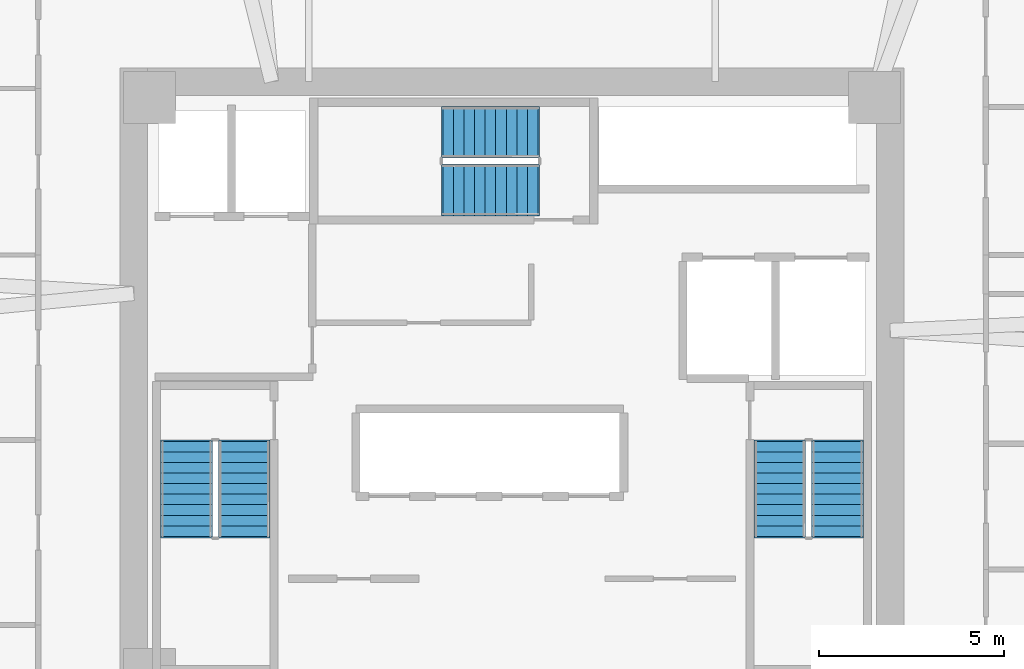
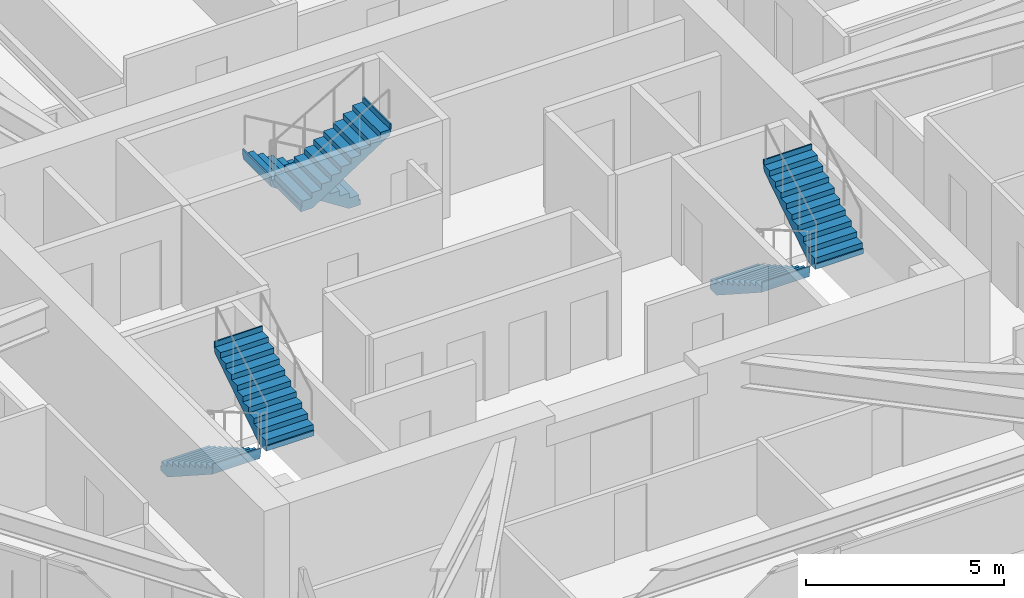
# One storey, part 13 of 14: 6 stair flights, 3 elements without a shape of their own.
"""IFC4 building model written with IfcOpenShell, lengths in metres."""

from ifc_helpers import new_model, si_unit, direction, frame, origin, place, context, subcontext, project, spatial, polyline, outline, extrude, material, type_object, element, aggregate, save


model = new_model("IFC4")

# Units and contexts
model_context = context("Model", 3, precision=1e-05, world=origin(), true_north=direction((0.0, 1.0)))
body_context = subcontext(model_context, "Body", "Model", "MODEL_VIEW")
ifc_project = project(units=[si_unit("LENGTHUNIT", "METRE"), si_unit("AREAUNIT", "SQUARE_METRE"), si_unit("VOLUMEUNIT", "CUBIC_METRE"), si_unit("PLANEANGLEUNIT", "RADIAN"), si_unit("MASSUNIT", "GRAM", prefix="KILO")], contexts=[model_context])

# Site, building, storey
site_placement = place(None, origin())
site = spatial("IfcSite", under=ifc_project, at=site_placement, CompositionType="ELEMENT")
building_placement = place(site_placement, origin())
building = spatial("IfcBuilding", under=site, at=building_placement, Name="Durnholm Broadcast Tower", CompositionType="ELEMENT")
storey_placement = place(building_placement, frame((0.0, 0.0, 127.199951171875)))
storey = spatial("IfcBuildingStorey", under=building, at=storey_placement, Name="L34", CompositionType="ELEMENT", Elevation=127.199951171875)

# Stair, stair flights
ifc_material = material(Name="Concrete C50/60", Category="concrete")
stair_type = type_object("IfcStairType", Name="STAIR-DL-20R1650", PredefinedType="HALF_TURN_STAIR", material=ifc_material)
stair_1_placement = place(storey_placement, origin())
stair_1 = element("IfcStair", 1, at=stair_1_placement, inside=storey, type_object=stair_type, Name="L34 ST-1", PredefinedType="HALF_TURN_STAIR")
stair_flight_type = type_object("IfcStairFlightType", Name="FLIGHT-DL-20R1650", PredefinedType="STRAIGHT", material=ifc_material)
stair_flight_1_placement = place(storey_placement, frame((-8.800048828125, -1.5, 0.0), z_axis=(0.0, 0.0, 1.0), x_axis=(0.0, -1.0, 0.0)))
stair_flight_1 = element("IfcStairFlight", 2, at=stair_flight_1_placement, type_object=stair_flight_type, Name="ST-1 flight 1", NumberOfRisers=10, NumberOfTreads=9, PredefinedType="STRAIGHT", RiserHeight=0.165, TreadLength=0.285, context=body_context, shape_type="SweptSolid", body=[
    extrude(outline(polyline([(-0.0400390625, -0.14990234375), (-0.0400390625, 0.0), (0.0, 0.0), (0.0, 0.1650390625), (0.284912109375, 0.1650390625), (0.284912109375, 0.330078125), (0.570068359375, 0.330078125), (0.570068359375, 0.4951171875), (0.85498046875, 0.4951171875), (0.85498046875, 0.659912109375), (1.139892578125, 0.659912109375), (1.139892578125, 0.824951171875), (1.425048828125, 0.824951171875), (1.425048828125, 0.989990234375), (1.7099609375, 0.989990234375), (1.7099609375, 1.155029296875), (1.9951171875, 1.155029296875), (1.9951171875, 1.320068359375), (2.280029296875, 1.320068359375), (2.280029296875, 1.485107421875), (2.56494140625, 1.485107421875), (2.56494140625, 1.64990234375), (2.60498046875, 1.64990234375), (2.60498046875, 1.5), (2.56494140625, 1.311767578125), (0.299072265625, -0.14990234375), (-0.0400390625, -0.14990234375)])), frame((0.0, 0.699951171875, 0.0), z_axis=(0.0, -1.0, 0.0), x_axis=(1.0, 0.0, 0.0)), (0.0, 0.0, 1.0), 1.39990234375),
])
stair_flight_2_placement = place(storey_placement, frame((-7.239990234375, -4.06494140625, 1.650146484375), z_axis=(0.0, 0.0, 1.0), x_axis=(0.0, 1.0, 0.0)))
stair_flight_2 = element("IfcStairFlight", 3, at=stair_flight_2_placement, type_object=stair_flight_type, Name="ST-1 flight 2", NumberOfRisers=10, NumberOfTreads=9, PredefinedType="STRAIGHT", RiserHeight=0.165, TreadLength=0.285, context=body_context, shape_type="SweptSolid", body=[
    extrude(outline(polyline([(-0.0400390625, -0.14990234375), (-0.0400390625, 0.0), (0.0, 0.0), (0.0, 0.1650390625), (0.284912109375, 0.1650390625), (0.284912109375, 0.330078125), (0.570068359375, 0.330078125), (0.570068359375, 0.4951171875), (0.85498046875, 0.4951171875), (0.85498046875, 0.659912109375), (1.139892578125, 0.659912109375), (1.139892578125, 0.824951171875), (1.425048828125, 0.824951171875), (1.425048828125, 0.989990234375), (1.7099609375, 0.989990234375), (1.7099609375, 1.155029296875), (1.9951171875, 1.155029296875), (1.9951171875, 1.320068359375), (2.280029296875, 1.320068359375), (2.280029296875, 1.485107421875), (2.56494140625, 1.485107421875), (2.56494140625, 1.64990234375), (2.60498046875, 1.64990234375), (2.60498046875, 1.5), (2.56494140625, 1.311767578125), (0.299072265625, -0.14990234375), (-0.0400390625, -0.14990234375)])), frame((0.0, 0.699951171875, 0.0), z_axis=(0.0, -1.0, 0.0), x_axis=(1.0, 0.0, 0.0)), (0.0, 0.0, 1.0), 1.39990234375),
])
aggregate(stair_1, [stair_flight_1, stair_flight_2])

stair_2_placement = place(storey_placement, origin())
stair_2 = element("IfcStair", 4, at=stair_2_placement, inside=storey, type_object=stair_type, Name="L34 ST-2", PredefinedType="HALF_TURN_STAIR")
stair_flight_3_placement = place(storey_placement, frame((7.239990234375, -1.5, 0.0), z_axis=(0.0, 0.0, 1.0), x_axis=(0.0, -1.0, 0.0)))
stair_flight_3 = element("IfcStairFlight", 5, at=stair_flight_3_placement, type_object=stair_flight_type, Name="ST-2 flight 1", NumberOfRisers=10, NumberOfTreads=9, PredefinedType="STRAIGHT", RiserHeight=0.165, TreadLength=0.285, context=body_context, shape_type="SweptSolid", body=[
    extrude(outline(polyline([(-0.0400390625, -0.14990234375), (-0.0400390625, 0.0), (0.0, 0.0), (0.0, 0.1650390625), (0.284912109375, 0.1650390625), (0.284912109375, 0.330078125), (0.570068359375, 0.330078125), (0.570068359375, 0.4951171875), (0.85498046875, 0.4951171875), (0.85498046875, 0.659912109375), (1.139892578125, 0.659912109375), (1.139892578125, 0.824951171875), (1.425048828125, 0.824951171875), (1.425048828125, 0.989990234375), (1.7099609375, 0.989990234375), (1.7099609375, 1.155029296875), (1.9951171875, 1.155029296875), (1.9951171875, 1.320068359375), (2.280029296875, 1.320068359375), (2.280029296875, 1.485107421875), (2.56494140625, 1.485107421875), (2.56494140625, 1.64990234375), (2.60498046875, 1.64990234375), (2.60498046875, 1.5), (2.56494140625, 1.311767578125), (0.299072265625, -0.14990234375), (-0.0400390625, -0.14990234375)])), frame((0.0, 0.699951171875, 0.0), z_axis=(0.0, -1.0, 0.0), x_axis=(1.0, 0.0, 0.0)), (0.0, 0.0, 1.0), 1.39990234375),
])
stair_flight_4_placement = place(storey_placement, frame((8.800048828125, -4.06494140625, 1.650146484375), z_axis=(0.0, 0.0, 1.0), x_axis=(0.0, 1.0, 0.0)))
stair_flight_4 = element("IfcStairFlight", 6, at=stair_flight_4_placement, type_object=stair_flight_type, Name="ST-2 flight 2", NumberOfRisers=10, NumberOfTreads=9, PredefinedType="STRAIGHT", RiserHeight=0.165, TreadLength=0.285, context=body_context, shape_type="SweptSolid", body=[
    extrude(outline(polyline([(-0.0400390625, -0.14990234375), (-0.0400390625, 0.0), (0.0, 0.0), (0.0, 0.1650390625), (0.284912109375, 0.1650390625), (0.284912109375, 0.330078125), (0.570068359375, 0.330078125), (0.570068359375, 0.4951171875), (0.85498046875, 0.4951171875), (0.85498046875, 0.659912109375), (1.139892578125, 0.659912109375), (1.139892578125, 0.824951171875), (1.425048828125, 0.824951171875), (1.425048828125, 0.989990234375), (1.7099609375, 0.989990234375), (1.7099609375, 1.155029296875), (1.9951171875, 1.155029296875), (1.9951171875, 1.320068359375), (2.280029296875, 1.320068359375), (2.280029296875, 1.485107421875), (2.56494140625, 1.485107421875), (2.56494140625, 1.64990234375), (2.60498046875, 1.64990234375), (2.60498046875, 1.5), (2.56494140625, 1.311767578125), (0.299072265625, -0.14990234375), (-0.0400390625, -0.14990234375)])), frame((0.0, 0.699951171875, 0.0), z_axis=(0.0, -1.0, 0.0), x_axis=(1.0, 0.0, 0.0)), (0.0, 0.0, 1.0), 1.39990234375),
])
aggregate(stair_2, [stair_flight_3, stair_flight_4])

stair_3_placement = place(storey_placement, origin())
stair_3 = element("IfcStair", 7, at=stair_3_placement, inside=storey, type_object=stair_type, Name="L34 ST-3", PredefinedType="HALF_TURN_STAIR")
stair_flight_5_placement = place(storey_placement, frame((0.699951171875, 6.860107421875, 0.0), z_axis=(0.0, 0.0, 1.0), x_axis=(-1.0, 0.0, 0.0)))
stair_flight_5 = element("IfcStairFlight", 8, at=stair_flight_5_placement, type_object=stair_flight_type, Name="ST-3 flight 1", NumberOfRisers=10, NumberOfTreads=9, PredefinedType="STRAIGHT", RiserHeight=0.165, TreadLength=0.285, context=body_context, shape_type="SweptSolid", body=[
    extrude(outline(polyline([(-0.0400390625, -0.14990234375), (-0.0400390625, 0.0), (0.0, 0.0), (0.0, 0.1650390625), (0.284912109375, 0.1650390625), (0.284912109375, 0.330078125), (0.570068359375, 0.330078125), (0.570068359375, 0.4951171875), (0.85498046875, 0.4951171875), (0.85498046875, 0.659912109375), (1.139892578125, 0.659912109375), (1.139892578125, 0.824951171875), (1.425048828125, 0.824951171875), (1.425048828125, 0.989990234375), (1.7099609375, 0.989990234375), (1.7099609375, 1.155029296875), (1.9951171875, 1.155029296875), (1.9951171875, 1.320068359375), (2.280029296875, 1.320068359375), (2.280029296875, 1.485107421875), (2.56494140625, 1.485107421875), (2.56494140625, 1.64990234375), (2.60498046875, 1.64990234375), (2.60498046875, 1.5), (2.56494140625, 1.311767578125), (0.299072265625, -0.14990234375), (-0.0400390625, -0.14990234375)])), frame((0.0, 0.699951171875, 0.0), z_axis=(0.0, -1.0, 0.0), x_axis=(1.0, 0.0, 0.0)), (0.0, 0.0, 1.0), 1.39990234375),
])
stair_flight_6_placement = place(storey_placement, frame((-1.864990234375, 5.300048828125, 1.650146484375), z_axis=(0.0, 0.0, 1.0), x_axis=(1.0, 0.0, 0.0)))
stair_flight_6 = element("IfcStairFlight", 9, at=stair_flight_6_placement, type_object=stair_flight_type, Name="ST-3 flight 2", NumberOfRisers=10, NumberOfTreads=9, PredefinedType="STRAIGHT", RiserHeight=0.165, TreadLength=0.285, context=body_context, shape_type="SweptSolid", body=[
    extrude(outline(polyline([(-0.0400390625, -0.14990234375), (-0.0400390625, 0.0), (0.0, 0.0), (0.0, 0.1650390625), (0.284912109375, 0.1650390625), (0.284912109375, 0.330078125), (0.570068359375, 0.330078125), (0.570068359375, 0.4951171875), (0.85498046875, 0.4951171875), (0.85498046875, 0.659912109375), (1.139892578125, 0.659912109375), (1.139892578125, 0.824951171875), (1.425048828125, 0.824951171875), (1.425048828125, 0.989990234375), (1.7099609375, 0.989990234375), (1.7099609375, 1.155029296875), (1.9951171875, 1.155029296875), (1.9951171875, 1.320068359375), (2.280029296875, 1.320068359375), (2.280029296875, 1.485107421875), (2.56494140625, 1.485107421875), (2.56494140625, 1.64990234375), (2.60498046875, 1.64990234375), (2.60498046875, 1.5), (2.56494140625, 1.311767578125), (0.299072265625, -0.14990234375), (-0.0400390625, -0.14990234375)])), frame((0.0, 0.699951171875, 0.0), z_axis=(0.0, -1.0, 0.0), x_axis=(1.0, 0.0, 0.0)), (0.0, 0.0, 1.0), 1.39990234375),
])
aggregate(stair_3, [stair_flight_5, stair_flight_6])

save(model, "model.ifc")
